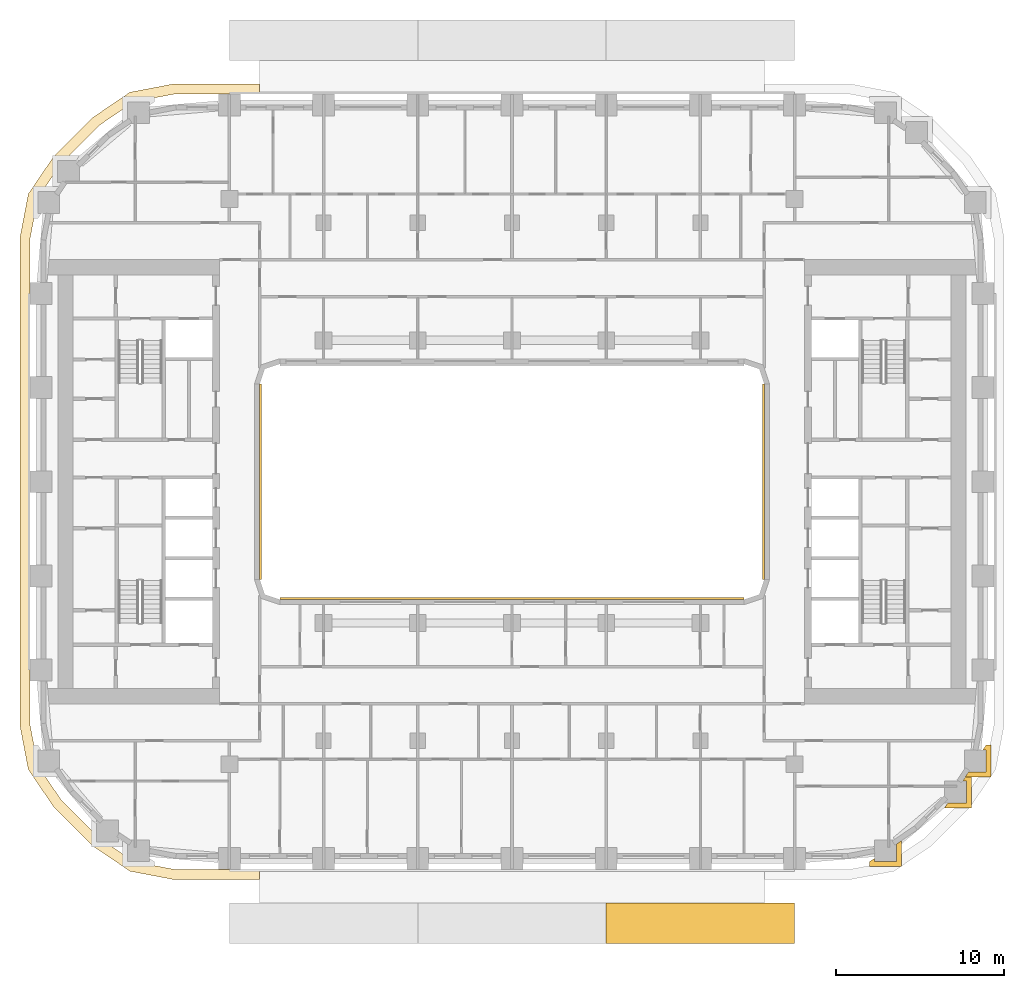
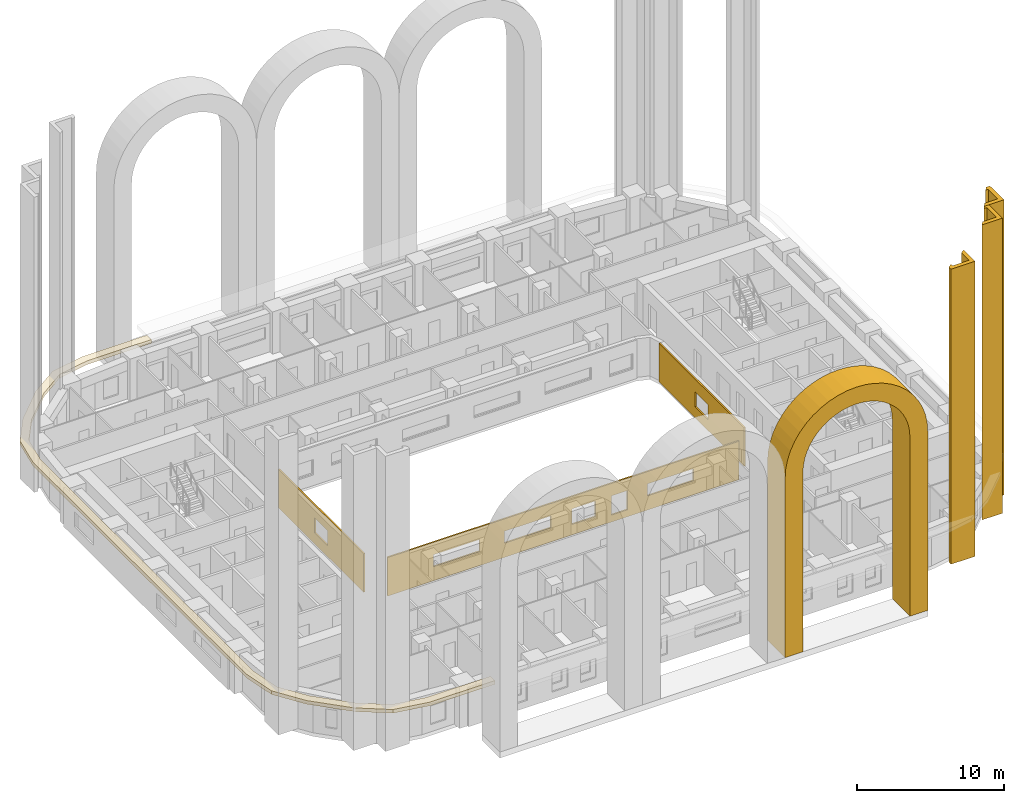
# One storey, part 14 of 19: 8 coverings.
"""IFC4 building model written with IfcOpenShell, lengths in metres."""

from ifc_helpers import new_model, si_unit, direction, frame, origin, place, context, subcontext, project, spatial, polyline, outline, extrude, material, layer, layer_set, type_object, element, save


model = new_model("IFC4")

# Units and contexts
model_context = context("Model", 3, precision=1e-05, world=origin(), true_north=direction((0.0, 1.0)))
body_context = subcontext(model_context, "Body", "Model", "MODEL_VIEW")
ifc_project = project(units=[si_unit("LENGTHUNIT", "METRE"), si_unit("AREAUNIT", "SQUARE_METRE"), si_unit("VOLUMEUNIT", "CUBIC_METRE"), si_unit("PLANEANGLEUNIT", "RADIAN"), si_unit("MASSUNIT", "GRAM", prefix="KILO")], contexts=[model_context])

# Site, building, storey
site_placement = place(None, origin())
site = spatial("IfcSite", under=ifc_project, at=site_placement, CompositionType="ELEMENT")
building_placement = place(site_placement, origin())
building = spatial("IfcBuilding", under=site, at=building_placement, Name="Kiln Ring Residences", CompositionType="ELEMENT")
storey_placement = place(building_placement, frame((0.0, 0.0, 83.300048828125)))
storey = spatial("IfcBuildingStorey", under=building, at=storey_placement, Name="L20", CompositionType="ELEMENT", Elevation=83.300048828125)

# Coverings
ifc_material_1 = material(Name="Brick masonry, dark clay brick", Category="masonry")
ifc_layer_1 = layer(ifc_material_1, 1.39990234375)
ifc_layer_set_1 = layer_set([ifc_layer_1], Name="ARCH SURROUND 2400")
covering_type_1 = type_object("IfcCoveringType", Name="ARCH SURROUND 2400", PredefinedType="CLADDING", material=ifc_layer_set_1)
covering_1_placement = place(storey_placement, frame((16.800048828125, -26.25, 0.5), z_axis=(0.0, 0.0, 1.0), x_axis=(-1.0, 0.0, 0.0)))
element("IfcCovering", 1, at=covering_1_placement, inside=storey, type_object=covering_type_1, Name="ARCH SURROUND Z2 S1.3", PredefinedType="CLADDING", context=body_context, shape_type="SweptSolid", body=[
    extrude(outline(polyline([(11.199951171875, 0.0), (11.199951171875, 14.89990234375), (11.152099609375, 15.630859375), (11.00927734375, 16.349365234375), (10.773681640625, 17.04296875), (10.44970703125, 17.699951171875), (10.042724609375, 18.30908203125), (9.559814453125, 18.85986328125), (9.009033203125, 19.3427734375), (8.39990234375, 19.749755859375), (7.742919921875, 20.07373046875), (7.04931640625, 20.30908203125), (6.330810546875, 20.4521484375), (5.60009765625, 20.5), (4.869140625, 20.4521484375), (4.150634765625, 20.30908203125), (3.45703125, 20.07373046875), (2.800048828125, 19.749755859375), (2.19091796875, 19.3427734375), (1.64013671875, 18.85986328125), (1.1572265625, 18.30908203125), (0.750244140625, 17.699951171875), (0.42626953125, 17.04296875), (0.19091796875, 16.349365234375), (0.0478515625, 15.630859375), (0.0, 14.89990234375), (0.0, 0.0), (1.39990234375, 0.0), (1.39990234375, 14.89990234375), (1.435791015625, 15.4482421875), (1.543212890625, 15.987060546875), (1.7197265625, 16.50732421875), (1.962646484375, 17.0), (2.267822265625, 17.456787109375), (2.630126953125, 17.869873046875), (3.043212890625, 18.23193359375), (3.5, 18.537353515625), (3.99267578125, 18.7802734375), (4.512939453125, 18.956787109375), (5.0517578125, 19.06396484375), (5.60009765625, 19.099853515625), (6.148193359375, 19.06396484375), (6.68701171875, 18.956787109375), (7.207275390625, 18.7802734375), (7.699951171875, 18.537353515625), (8.15673828125, 18.23193359375), (8.56982421875, 17.869873046875), (8.93212890625, 17.456787109375), (9.2373046875, 17.0), (9.480224609375, 16.50732421875), (9.656982421875, 15.987060546875), (9.76416015625, 15.4482421875), (9.800048828125, 14.89990234375), (9.800048828125, 0.0), (11.199951171875, 0.0)])), frame((0.0, 1.199951171875, 0.0), z_axis=(0.0, -1.0, 0.0), x_axis=(1.0, 0.0, 0.0)), (0.0, 0.0, 1.0), 2.39990234375),
])
ifc_material_2 = material(Name="Brick masonry, dark clay brick", Category="masonry")
ifc_layer_2 = layer(ifc_material_2, 0.300048828125)
ifc_layer_set_2 = layer_set([ifc_layer_2], Name="PIER CLADDING 300")
covering_type_2 = type_object("IfcCoveringType", Name="PIER CLADDING 300", PredefinedType="CLADDING", material=ifc_layer_set_2)
placement = place(storey_placement, origin())
element("IfcCovering", 2, at=placement, inside=storey, type_object=covering_type_2, Name="PIER CLADDING L20-L26", PredefinedType="CLADDING", context=body_context, shape_type="SweptSolid", body=[
    extrude(outline(polyline([(21.55859375, -22.3798828125), (21.2587890625, -22.583740234375), (21.2587890625, -22.88818359375), (23.15869140625, -22.88818359375), (23.15869140625, -21.340576171875), (22.858642578125, -21.54443359375), (22.858642578125, -22.588134765625), (21.55859375, -22.588134765625), (21.55859375, -22.3798828125)])), origin(), (0.0, 0.0, 1.0), 24.5),
])
element("IfcCovering", 3, at=placement, inside=storey, type_object=covering_type_2, Name="PIER CLADDING L20-L26", PredefinedType="CLADDING", context=body_context, shape_type="SweptSolid", body=[
    extrude(outline(polyline([(27.309814453125, -19.39013671875), (27.309814453125, -17.490234375), (27.00537109375, -17.490234375), (26.801513671875, -17.790283203125), (27.009765625, -17.790283203125), (27.009765625, -19.090087890625), (25.91796875, -19.090087890625), (25.714111328125, -19.39013671875), (27.309814453125, -19.39013671875)])), origin(), (0.0, 0.0, 1.0), 24.5),
])
element("IfcCovering", 4, at=placement, inside=storey, type_object=covering_type_2, Name="PIER CLADDING L20-L26", PredefinedType="CLADDING", context=body_context, shape_type="SweptSolid", body=[
    extrude(outline(polyline([(28.488037109375, -17.55859375), (28.488037109375, -15.65869140625), (28.18359375, -15.65869140625), (27.97998046875, -15.958740234375), (28.18798828125, -15.958740234375), (28.18798828125, -17.2587890625), (27.144287109375, -17.2587890625), (26.940673828125, -17.55859375), (28.488037109375, -17.55859375)])), origin(), (0.0, 0.0, 1.0), 24.5),
])
ifc_material_3 = material(Name="Brick masonry, dark clay brick", Category="masonry")
ifc_layer_3 = layer(ifc_material_3, 0.1201171875)
ifc_layer_set_3 = layer_set([ifc_layer_3], Name="RAINSCREEN PANEL 120")
covering_type_3 = type_object("IfcCoveringType", Name="RAINSCREEN PANEL 120", PredefinedType="CLADDING", material=ifc_layer_set_3)
for number, where, z_axis, x_axis, name in (
    (5, (-14.93994140625, -5.800048828125, 0.0), (0.0, 0.0, 1.0), (0.0, 1.0, 0.0), "RAINSCREEN L20"),
    (6, (14.93994140625, 5.800048828125, 0.0), (0.0, 0.0, 1.0), (0.0, -1.0, 0.0), "RAINSCREEN L20"),
):
    element("IfcCovering", number, at=place(storey_placement, frame(where, z_axis=z_axis, x_axis=x_axis)), inside=storey, type_object=covering_type_3, Name=name, PredefinedType="CLADDING", context=body_context, shape_type="SweptSolid", body=[
        extrude(outline(polyline([(0.0, 0.0), (11.60009765625, 0.0), (11.60009765625, 3.199951171875), (0.0, 3.199951171875), (0.0, 0.0)]), holes=[polyline([(4.89990234375, 2.14990234375), (4.89990234375, 0.89990234375), (6.699951171875, 0.89990234375), (6.699951171875, 2.14990234375), (4.89990234375, 2.14990234375)])]), frame((0.0, 0.06005859375, 0.0), z_axis=(0.0, -1.0, 0.0), x_axis=(1.0, 0.0, 0.0)), (0.0, 0.0, 1.0), 0.1201171875),
    ])
covering_5_placement = place(storey_placement, frame((13.800048828125, -6.93994140625, 0.0), z_axis=(0.0, 0.0, 1.0), x_axis=(-1.0, 0.0, 0.0)))
element("IfcCovering", 7, at=covering_5_placement, inside=storey, type_object=covering_type_3, Name="RAINSCREEN L20", PredefinedType="CLADDING", context=body_context, shape_type="SweptSolid", body=[
    extrude(outline(polyline([(0.0, 0.0), (27.60009765625, 0.0), (27.60009765625, 3.199951171875), (0.0, 3.199951171875), (0.0, 0.0)]), holes=[polyline([(10.02001953125, 0.579833984375), (10.02001953125, 2.169921875), (8.780029296875, 2.169921875), (8.780029296875, 0.579833984375), (10.02001953125, 0.579833984375)]), polyline([(13.1201171875, 0.8798828125), (13.1201171875, 2.169921875), (11.280029296875, 2.169921875), (11.280029296875, 0.8798828125), (13.1201171875, 0.8798828125)]), polyline([(7.219970703125, 1.179931640625), (7.219970703125, 2.169921875), (3.580078125, 2.169921875), (3.580078125, 1.179931640625), (7.219970703125, 1.179931640625)]), polyline([(14.780029296875, 1.179931640625), (18.419921875, 1.179931640625), (18.419921875, 2.169921875), (14.780029296875, 2.169921875), (14.780029296875, 1.179931640625)]), polyline([(20.3798828125, 1.179931640625), (24.02001953125, 1.179931640625), (24.02001953125, 2.169921875), (20.3798828125, 2.169921875), (20.3798828125, 1.179931640625)])]), frame((0.0, 0.06005859375, 0.0), z_axis=(0.0, -1.0, 0.0), x_axis=(1.0, 0.0, 0.0)), (0.0, 0.0, 1.0), 0.1201171875),
])
ifc_material_4 = material(Name="Black powder-coated steel", Category="steel")
ifc_layer_4 = layer(ifc_material_4, 0.300048828125)
ifc_layer_set_4 = layer_set([ifc_layer_4], Name="SUNSHADE FIN 600")
covering_type_4 = type_object("IfcCoveringType", Name="SUNSHADE FIN 600", PredefinedType="CLADDING", material=ifc_layer_set_4)
covering_6_placement = place(storey_placement, frame((0.0, 0.0, 3.199951171875)))
element("IfcCovering", 8, at=covering_6_placement, inside=storey, type_object=covering_type_4, Name="SUNSHADE FIN L20", PredefinedType="CLADDING", context=body_context, shape_type="SweptSolid", body=[
    extrude(outline(polyline([(-29.25, -14.51806640625), (-28.755126953125, -17.11279296875), (-27.2705078125, -19.29736328125), (-24.8974609375, -21.67041015625), (-22.712890625, -23.155029296875), (-20.1181640625, -23.64990234375), (-15.0, -23.64990234375), (-15.0, -23.050048828125), (-20.061279296875, -23.050048828125), (-22.478271484375, -22.589111328125), (-24.51318359375, -21.2060546875), (-26.805908203125, -18.9130859375), (-28.18896484375, -16.87841796875), (-28.64990234375, -14.46142578125), (-28.64990234375, 14.46142578125), (-28.18896484375, 16.87841796875), (-26.805908203125, 18.9130859375), (-24.51318359375, 21.2060546875), (-22.478271484375, 22.589111328125), (-20.061279296875, 23.050048828125), (-15.0, 23.050048828125), (-15.0, 23.64990234375), (-20.1181640625, 23.64990234375), (-22.712890625, 23.155029296875), (-24.8974609375, 21.67041015625), (-27.2705078125, 19.29736328125), (-28.755126953125, 17.11279296875), (-29.25, 14.51806640625), (-29.25, -14.51806640625)])), origin(), (0.0, 0.0, 1.0), 0.300048828125),
])

save(model, "model.ifc")
